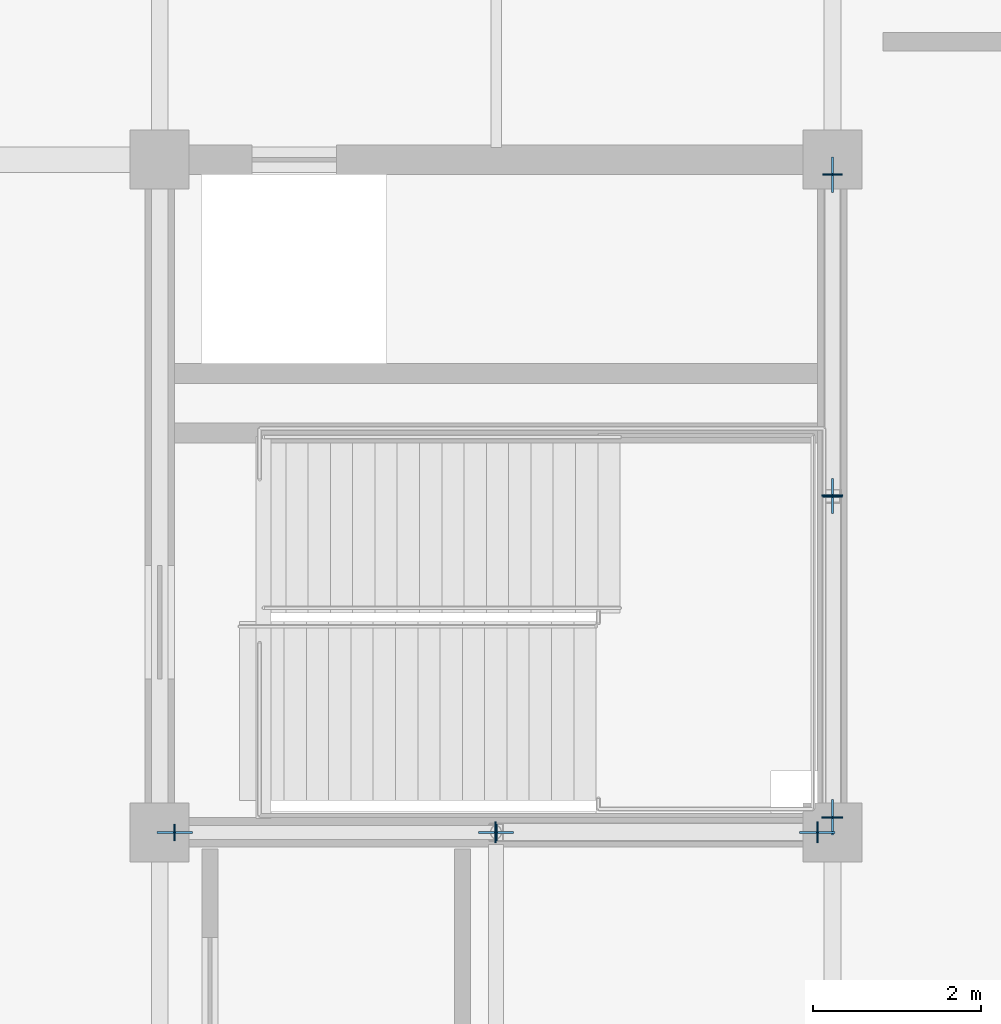
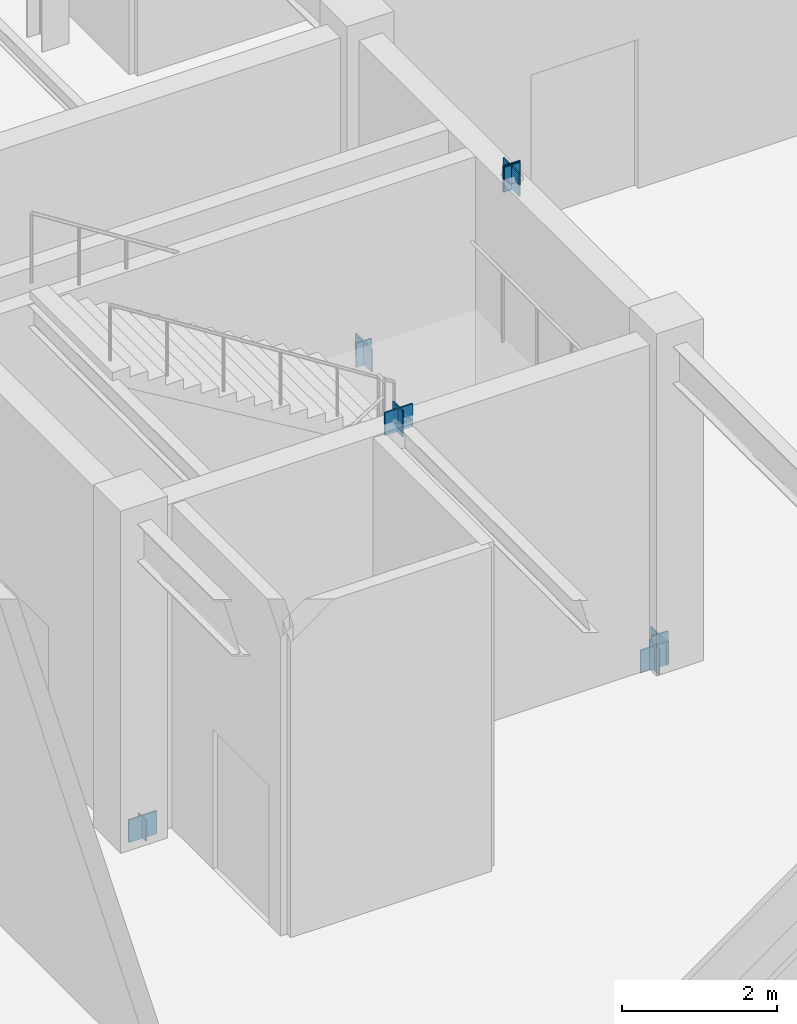
# One storey, part 82 of 119: 14 plates.
"""IFC4 building model written with IfcOpenShell, lengths in metres."""

from ifc_helpers import new_model, si_unit, direction, frame, origin, origin_2d, place, context, subcontext, project, spatial, rectangle, extrude, material, layer, layer_set, type_object, element, save


model = new_model("IFC4")

# Units and contexts
model_context = context("Model", 3, precision=1e-05, world=origin(), true_north=direction((0.0, 1.0)))
body_context = subcontext(model_context, "Body", "Model", "MODEL_VIEW")
ifc_project = project(units=[si_unit("LENGTHUNIT", "METRE"), si_unit("AREAUNIT", "SQUARE_METRE"), si_unit("VOLUMEUNIT", "CUBIC_METRE"), si_unit("PLANEANGLEUNIT", "RADIAN"), si_unit("MASSUNIT", "GRAM", prefix="KILO")], contexts=[model_context])

# Site, building, storey
site_placement = place(None, origin())
site = spatial("IfcSite", under=ifc_project, at=site_placement, CompositionType="ELEMENT")
building_placement = place(site_placement, origin())
building = spatial("IfcBuilding", under=site, at=building_placement, Name="Zhaolan Boulevard Law Courts", CompositionType="ELEMENT")
storey_placement = place(building_placement, origin())
storey = spatial("IfcBuildingStorey", under=building, at=storey_placement, Name="L00", CompositionType="ELEMENT", Elevation=0.0)

# Plates
ifc_material_1 = material(Name="Structural steel Q355B", Category="steel")
ifc_layer_1 = layer(ifc_material_1, 0.02392578125)
ifc_layer_set_1 = layer_set([ifc_layer_1])
plate_type_1 = type_object("IfcPlateType", Name="BRACE GUSSET PLATE 24", PredefinedType="SHEET", material=ifc_layer_set_1)
for number, where, z_axis, x_axis, name in (
    (1, (84.179931640625, 70.0, -0.14990234375), (0.0, 0.0, 1.0), (1.0, 0.0, 0.0), "Brace Gusset Connection Plate GP-T1-L00-SA1"),
    (2, (91.820068359375, 70.0, -0.14990234375), (0.0, 0.0, 1.0), (1.0, 0.0, 0.0), "Brace Gusset Connection Plate GP-T1-L00-SA2"),
    (3, (88.0, 70.0, 4.93994140625), (0.0, 0.0, 1.0), (1.0, 0.0, 0.0), "Brace Gusset Connection Plate GP-T1-L00-SAPX"),
    (4, (92.0, 70.179931640625, -0.14990234375), (0.0, 0.0, 1.0), (0.0, 1.0, 0.0), "Brace Gusset Connection Plate GP-T1-L00-EA1"),
    (5, (92.0, 77.820068359375, -0.14990234375), (0.0, 0.0, 1.0), (0.0, 1.0, 0.0), "Brace Gusset Connection Plate GP-T1-L00-EA2"),
    (6, (92.0, 74.0, 4.93994140625), (0.0, 0.0, 1.0), (0.0, 1.0, 0.0), "Brace Gusset Connection Plate GP-T1-L00-EAPX"),
):
    element("IfcPlate", number, at=place(storey_placement, frame(where, z_axis=z_axis, x_axis=x_axis)), inside=storey, type_object=plate_type_1, Name=name, PredefinedType="SHEET", context=body_context, shape_type="SweptSolid", body=[
        extrude(rectangle(XDim=0.419921875, YDim=0.02392578125, at=origin_2d()), origin(), (0.0, 0.0, 1.0), 0.360107421875),
    ])
ifc_material_2 = material(Name="Structural steel Q355B", Category="steel")
ifc_layer_2 = layer(ifc_material_2, 0.02001953125)
ifc_layer_set_2 = layer_set([ifc_layer_2])
plate_type_2 = type_object("IfcPlateType", Name="END CAP PLATE 20", PredefinedType="SHEET", material=ifc_layer_set_2)
for number, where, z_axis, x_axis, name in (
    (7, (84.17529296875, 70.0, -0.141357421875), (0.0, 0.0, 1.0), (1.0, 0.0, 0.0), "Hollow Section End-Cap Plate ECP-1279"),
    (8, (88.0048828125, 70.0, 4.96142578125), (0.0, 0.0, 1.0), (1.0, 0.0, 0.0), "Hollow Section End-Cap Plate ECP-1280"),
):
    element("IfcPlate", number, at=place(storey_placement, frame(where, z_axis=z_axis, x_axis=x_axis)), inside=storey, type_object=plate_type_2, Name=name, PredefinedType="SHEET", context=body_context, shape_type="SweptSolid", body=[
        extrude(rectangle(XDim=0.02001953125, YDim=0.197998046875, at=origin_2d()), origin(), (0.0, 0.0, 1.0), 0.330078125),
    ])
for number, where, z_axis, x_axis, name in (
    (9, (91.82470703125, 70.0, -0.184326171875), (0.0, 0.0, 1.0), (-1.0, 0.0, 0.0), "Hollow Section End-Cap Plate ECP-1281"),
    (10, (87.9951171875, 70.0, 4.91845703125), (0.0, 0.0, 1.0), (-1.0, 0.0, 0.0), "Hollow Section End-Cap Plate ECP-1282"),
    (11, (92.0, 70.17529296875, -0.184326171875), (0.0, 0.0, 1.0), (0.0, 1.0, 0.0), "Hollow Section End-Cap Plate ECP-1283"),
    (12, (92.0, 74.0048828125, 4.91845703125), (0.0, 0.0, 1.0), (0.0, 1.0, 0.0), "Hollow Section End-Cap Plate ECP-1284"),
):
    element("IfcPlate", number, at=place(storey_placement, frame(where, z_axis=z_axis, x_axis=x_axis)), inside=storey, type_object=plate_type_2, Name=name, PredefinedType="SHEET", context=body_context, shape_type="SweptSolid", body=[
        extrude(rectangle(XDim=0.02001953125, YDim=0.25, at=origin_2d()), origin(), (0.0, 0.0, 1.0), 0.416015625),
    ])
for number, where, z_axis, x_axis, name in (
    (13, (92.0, 77.82470703125, -0.16796875), (0.0, 0.0, 1.0), (0.0, -1.0, 0.0), "Hollow Section End-Cap Plate ECP-1285"),
    (14, (92.0, 73.9951171875, 4.93505859375), (0.0, 0.0, 1.0), (0.0, -1.0, 0.0), "Hollow Section End-Cap Plate ECP-1286"),
):
    element("IfcPlate", number, at=place(storey_placement, frame(where, z_axis=z_axis, x_axis=x_axis)), inside=storey, type_object=plate_type_2, Name=name, PredefinedType="SHEET", context=body_context, shape_type="SweptSolid", body=[
        extrude(rectangle(XDim=0.02001953125, YDim=0.22998046875, at=origin_2d()), origin(), (0.0, 0.0, 1.0), 0.383056640625),
    ])

save(model, "model.ifc")
